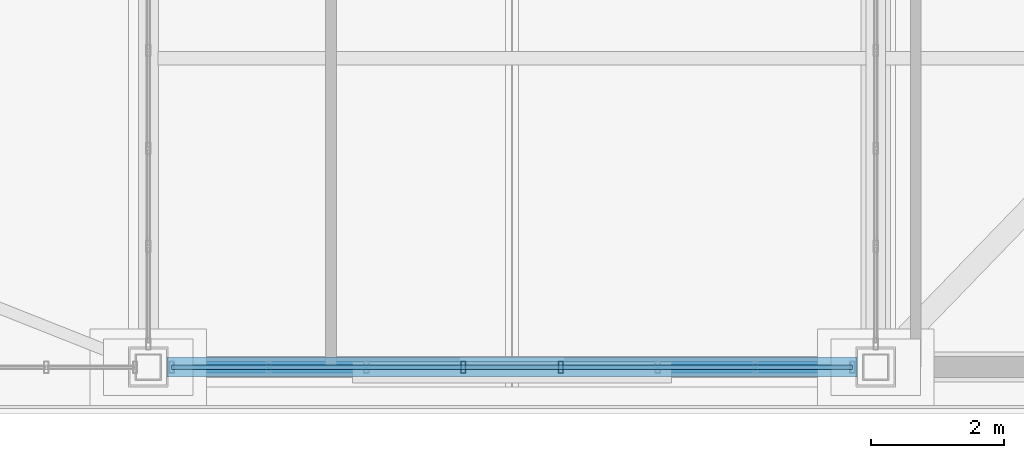
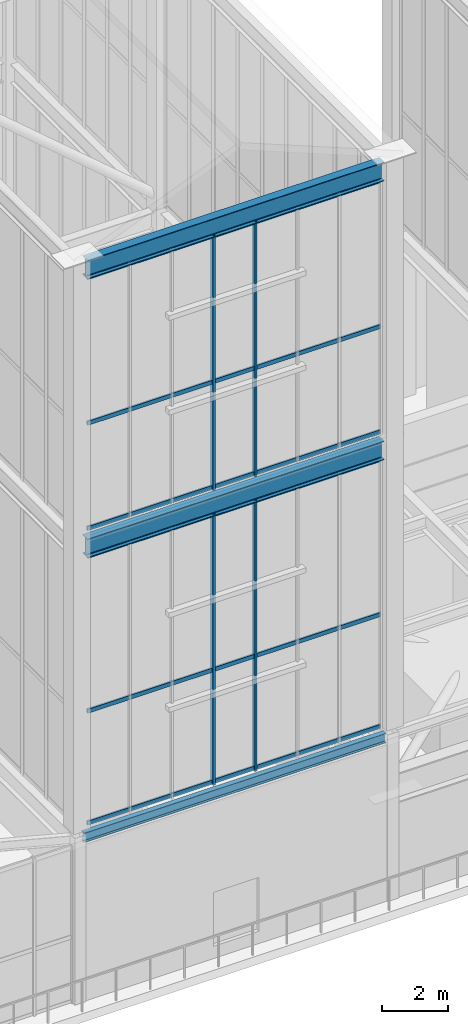
# One storey, part 4 of 135: 10 members, 3 beams, 2 elements without a shape of their own.
"""IFC4 building model written with IfcOpenShell, lengths in metres."""

from ifc_helpers import new_model, si_unit, direction, frame, origin, origin_2d, place, context, subcontext, project, spatial, hollow_rectangle, i_section, extrude, source, transform, mapped, material, layer, layer_set, material_profile, profile_set, type_object, element, aggregate, save


model = new_model("IFC4")

# Units and contexts
model_context = context("Model", 3, precision=1e-05, world=origin(), true_north=direction((0.0, 1.0)))
body_context = subcontext(model_context, "Body", "Model", "MODEL_VIEW")
ifc_project = project(units=[si_unit("LENGTHUNIT", "METRE"), si_unit("AREAUNIT", "SQUARE_METRE"), si_unit("VOLUMEUNIT", "CUBIC_METRE"), si_unit("PLANEANGLEUNIT", "RADIAN"), si_unit("MASSUNIT", "GRAM", prefix="KILO")], contexts=[model_context])

# Site, building, storey
site_placement = place(None, origin())
site = spatial("IfcSite", under=ifc_project, at=site_placement, CompositionType="ELEMENT")
building_placement = place(site_placement, origin())
building = spatial("IfcBuilding", under=site, at=building_placement, Name="Giltprow Tower", CompositionType="ELEMENT")
storey_placement = place(building_placement, frame((0.0, 0.0, 352.699951171875)))
storey = spatial("IfcBuildingStorey", under=building, at=storey_placement, Name="L92", CompositionType="ELEMENT", Elevation=352.699951171875)

# Beams
ifc_material_1 = material(Name="Structural steel Q355B", Category="steel")
ifc_material_profile_1 = material_profile(ifc_material_1, i_section(OverallWidth=0.175048828125, OverallDepth=0.35009765625, WebThickness=0.007080078125, FlangeThickness=0.010986328125, at=origin_2d()), Name="HN 350x175x7x11")
ifc_profile_set_1 = profile_set([ifc_material_profile_1], Name="Structural steel Q355B")
beam_type_1 = type_object("IfcBeamType", Name="BM-SPAN-HN350", PredefinedType="SPANDREL", material=ifc_profile_set_1)
shared_shape_1 = source(origin(), body_context, "Body", "SweptSolid", [
    extrude(i_section(OverallWidth=0.175048828125, OverallDepth=0.35009765625, WebThickness=0.007080078125, FlangeThickness=0.010986328125, at=origin_2d()), origin(), (0.0, 0.0, 1.0), 10.580078125),
])
beam_placement = place(storey_placement, frame((20.034912109375, 23.5, 5.985107421875), z_axis=(1.0, 0.0, 0.0), x_axis=(0.0, 1.0, 0.0)))
element("IfcBeam", 1, at=beam_placement, inside=storey, type_object=beam_type_1, Name="L92 Perimeter Spandrel Beam S1-S2", PredefinedType="SPANDREL", context=body_context, shape_type="MappedRepresentation", body=[
    mapped(shared_shape_1, transform((0.0, 0.0, 0.0), x_axis=(1.0, 0.0, 0.0), y_axis=(0.0, 1.0, 0.0), z_axis=(0.0, 0.0, 1.0), scale=1.0)),
])
ifc_material_profile_2 = material_profile(ifc_material_1, i_section(OverallWidth=0.300048828125, OverallDepth=0.699951171875, WebThickness=0.012939453125, FlangeThickness=0.02392578125, at=origin_2d()), Name="HN 700x300x13x24")
ifc_profile_set_2 = profile_set([ifc_material_profile_2], Name="Structural steel Q355B")
beam_type_2 = type_object("IfcBeamType", Name="BM-CRN-RING-HN700", PredefinedType="BEAM", material=ifc_profile_set_2)
shared_shape_2 = source(origin(), body_context, "Body", "SweptSolid", [
    extrude(i_section(OverallWidth=0.300048828125, OverallDepth=0.699951171875, WebThickness=0.012939453125, FlangeThickness=0.02392578125, at=origin_2d()), origin(), (0.0, 0.0, 1.0), 10.39013671875),
])
for number, where, z_axis, x_axis, name in (
    (2, (20.1298828125, 23.5, 16.699951171875), (1.0, 0.0, 0.0), (0.0, 1.0, 0.0), "Crown Frame West Ring Beam 1-1"),
    (3, (20.1298828125, 23.5, 27.01708984375), (1.0, 0.0, 0.0), (0.0, 1.0, 0.0), "Crown Frame West Ring Beam 2-1"),
):
    element("IfcBeam", number, at=place(storey_placement, frame(where, z_axis=z_axis, x_axis=x_axis)), inside=storey, type_object=beam_type_2, Name=name, PredefinedType="BEAM", context=body_context, shape_type="MappedRepresentation", body=[
        mapped(shared_shape_2, transform((0.0, 0.0, 0.0), x_axis=(1.0, 0.0, 0.0), y_axis=(0.0, 1.0, 0.0), z_axis=(0.0, 0.0, 1.0), scale=1.0)),
    ])

# Curtain wall, members
ifc_material_2 = material(Name="Anodized bronze", Category="metal")
ifc_layer = layer(ifc_material_2, 0.179931640625, Name="Anodized bronze")
ifc_layer_set = layer_set([ifc_layer], Name="Anodized bronze")
curtain_wall_type = type_object("IfcCurtainWallType", Name="CW-CROWN-LANTERN", PredefinedType="NOTDEFINED", material=ifc_layer_set)
curtain_wall_1_placement = place(storey_placement, origin())
curtain_wall_1 = element("IfcCurtainWall", 4, at=curtain_wall_1_placement, inside=storey, type_object=curtain_wall_type, Name="Crown West Lower Lantern Glazing 1", PredefinedType="NOTDEFINED")
ifc_material_profile_3 = material_profile(ifc_material_2, hollow_rectangle(XDim=0.074951171875, YDim=0.179931640625, WallThickness=0.008056640625, at=origin_2d()), Name="RHS 180x75x8")
ifc_profile_set_3 = profile_set([ifc_material_profile_3], Name="Anodized bronze")
member_type_1 = type_object("IfcMemberType", Name="CW-MULLION-180x75", PredefinedType="MULLION", material=ifc_profile_set_3)
shared_shape_3 = source(origin(), body_context, "Body", "SweptSolid", [
    extrude(hollow_rectangle(XDim=0.074951171875, YDim=0.179931640625, WallThickness=0.008056640625, at=origin_2d()), origin(), (0.0, 0.0, 1.0), 10.030029296875),
])
member_1_placement = place(storey_placement, frame((24.593017578125, 23.5, 6.35009765625), z_axis=(0.0, 0.0, 1.0), x_axis=(1.0, 0.0, 0.0)))
member_1 = element("IfcMember", 5, at=member_1_placement, type_object=member_type_1, Name="Crown West Lower Lantern Glazing 1 Mullion 4", PredefinedType="MULLION", context=body_context, shape_type="MappedRepresentation", body=[
    mapped(shared_shape_3, transform((0.0, 0.0, 0.0), x_axis=(1.0, 0.0, 0.0), y_axis=(0.0, 1.0, 0.0), z_axis=(0.0, 0.0, 1.0), scale=1.0)),
])
member_2_placement = place(storey_placement, frame((26.056884765625, 23.5, 6.35009765625), z_axis=(0.0, 0.0, 1.0), x_axis=(1.0, 0.0, 0.0)))
member_2 = element("IfcMember", 6, at=member_2_placement, type_object=member_type_1, Name="Crown West Lower Lantern Glazing 1 Mullion 5", PredefinedType="MULLION", context=body_context, shape_type="MappedRepresentation", body=[
    mapped(shared_shape_3, transform((0.0, 0.0, 0.0), x_axis=(1.0, 0.0, 0.0), y_axis=(0.0, 1.0, 0.0), z_axis=(0.0, 0.0, 1.0), scale=1.0)),
])
ifc_material_profile_4 = material_profile(ifc_material_2, hollow_rectangle(XDim=0.06494140625, YDim=0.14990234375, WallThickness=0.006103515625, at=origin_2d()), Name="RHS 150x65x6")
ifc_profile_set_4 = profile_set([ifc_material_profile_4], Name="Anodized bronze")
member_type_2 = type_object("IfcMemberType", Name="CW-TRANSOM-150x65", PredefinedType="USERDEFINED", material=ifc_profile_set_4)
shared_shape_4 = source(origin(), body_context, "Body", "SweptSolid", [
    extrude(hollow_rectangle(XDim=0.06494140625, YDim=0.14990234375, WallThickness=0.006103515625, at=origin_2d()), origin(), (0.0, 0.0, 1.0), 10.25),
])
member_3_placement = place(storey_placement, frame((20.199951171875, 23.5, 6.43994140625), z_axis=(1.0, 0.0, 0.0), x_axis=(0.0, 1.0, 0.0)))
member_3 = element("IfcMember", 7, at=member_3_placement, type_object=member_type_2, Name="Crown West Lower Lantern Glazing 1 Transom 1", ObjectType="TRANSOM", PredefinedType="USERDEFINED", context=body_context, shape_type="MappedRepresentation", body=[
    mapped(shared_shape_4, transform((0.0, 0.0, 0.0), x_axis=(1.0, 0.0, 0.0), y_axis=(0.0, 1.0, 0.0), z_axis=(0.0, 0.0, 1.0), scale=1.0)),
])
member_4_placement = place(storey_placement, frame((20.199951171875, 23.5, 10.5791015625), z_axis=(1.0, 0.0, 0.0), x_axis=(0.0, 1.0, 0.0)))
member_4 = element("IfcMember", 8, at=member_4_placement, type_object=member_type_2, Name="Crown West Lower Lantern Glazing 1 Transom 2", ObjectType="TRANSOM", PredefinedType="USERDEFINED", context=body_context, shape_type="MappedRepresentation", body=[
    mapped(shared_shape_4, transform((0.0, 0.0, 0.0), x_axis=(1.0, 0.0, 0.0), y_axis=(0.0, 1.0, 0.0), z_axis=(0.0, 0.0, 1.0), scale=1.0)),
])
member_5_placement = place(storey_placement, frame((20.199951171875, 23.5, 16.31005859375), z_axis=(1.0, 0.0, 0.0), x_axis=(0.0, 1.0, 0.0)))
member_5 = element("IfcMember", 9, at=member_5_placement, type_object=member_type_2, Name="Crown West Lower Lantern Glazing 1 Transom 3", ObjectType="TRANSOM", PredefinedType="USERDEFINED", context=body_context, shape_type="MappedRepresentation", body=[
    mapped(shared_shape_4, transform((0.0, 0.0, 0.0), x_axis=(1.0, 0.0, 0.0), y_axis=(0.0, 1.0, 0.0), z_axis=(0.0, 0.0, 1.0), scale=1.0)),
])
aggregate(curtain_wall_1, [member_1, member_2, member_3, member_4, member_5])

curtain_wall_2_placement = place(storey_placement, origin())
curtain_wall_2 = element("IfcCurtainWall", 10, at=curtain_wall_2_placement, inside=storey, type_object=curtain_wall_type, Name="Crown West Upper Lantern Glazing 1", PredefinedType="NOTDEFINED")
member_6_placement = place(storey_placement, frame((20.199951171875, 23.5, 17.340087890625), z_axis=(1.0, 0.0, 0.0), x_axis=(0.0, 1.0, 0.0)))
member_6 = element("IfcMember", 11, at=member_6_placement, type_object=member_type_2, Name="Crown West Upper Lantern Glazing 1 Transom 1", ObjectType="TRANSOM", PredefinedType="USERDEFINED", context=body_context, shape_type="MappedRepresentation", body=[
    mapped(shared_shape_4, transform((0.0, 0.0, 0.0), x_axis=(1.0, 0.0, 0.0), y_axis=(0.0, 1.0, 0.0), z_axis=(0.0, 0.0, 1.0), scale=1.0)),
])
member_7_placement = place(storey_placement, frame((20.199951171875, 23.5, 21.234130859375), z_axis=(1.0, 0.0, 0.0), x_axis=(0.0, 1.0, 0.0)))
member_7 = element("IfcMember", 12, at=member_7_placement, type_object=member_type_2, Name="Crown West Upper Lantern Glazing 1 Transom 2", ObjectType="TRANSOM", PredefinedType="USERDEFINED", context=body_context, shape_type="MappedRepresentation", body=[
    mapped(shared_shape_4, transform((0.0, 0.0, 0.0), x_axis=(1.0, 0.0, 0.0), y_axis=(0.0, 1.0, 0.0), z_axis=(0.0, 0.0, 1.0), scale=1.0)),
])
member_8_placement = place(storey_placement, frame((20.199951171875, 23.5, 26.626953125), z_axis=(1.0, 0.0, 0.0), x_axis=(0.0, 1.0, 0.0)))
member_8 = element("IfcMember", 13, at=member_8_placement, type_object=member_type_2, Name="Crown West Upper Lantern Glazing 1 Transom 3", ObjectType="TRANSOM", PredefinedType="USERDEFINED", context=body_context, shape_type="MappedRepresentation", body=[
    mapped(shared_shape_4, transform((0.0, 0.0, 0.0), x_axis=(1.0, 0.0, 0.0), y_axis=(0.0, 1.0, 0.0), z_axis=(0.0, 0.0, 1.0), scale=1.0)),
])
shared_shape_5 = source(origin(), body_context, "Body", "SweptSolid", [
    extrude(hollow_rectangle(XDim=0.074951171875, YDim=0.179931640625, WallThickness=0.008056640625, at=origin_2d()), origin(), (0.0, 0.0, 1.0), 9.45703125),
])
member_9_placement = place(storey_placement, frame((24.593017578125, 23.5, 17.25), z_axis=(0.0, 0.0, 1.0), x_axis=(1.0, 0.0, 0.0)))
member_9 = element("IfcMember", 14, at=member_9_placement, type_object=member_type_1, Name="Crown West Upper Lantern Glazing 1 Mullion 4", PredefinedType="MULLION", context=body_context, shape_type="MappedRepresentation", body=[
    mapped(shared_shape_5, transform((0.0, 0.0, 0.0), x_axis=(1.0, 0.0, 0.0), y_axis=(0.0, 1.0, 0.0), z_axis=(0.0, 0.0, 1.0), scale=1.0)),
])
member_10_placement = place(storey_placement, frame((26.056884765625, 23.5, 17.25), z_axis=(0.0, 0.0, 1.0), x_axis=(1.0, 0.0, 0.0)))
member_10 = element("IfcMember", 15, at=member_10_placement, type_object=member_type_1, Name="Crown West Upper Lantern Glazing 1 Mullion 5", PredefinedType="MULLION", context=body_context, shape_type="MappedRepresentation", body=[
    mapped(shared_shape_5, transform((0.0, 0.0, 0.0), x_axis=(1.0, 0.0, 0.0), y_axis=(0.0, 1.0, 0.0), z_axis=(0.0, 0.0, 1.0), scale=1.0)),
])
aggregate(curtain_wall_2, [member_9, member_10, member_6, member_7, member_8])

save(model, "model.ifc")
